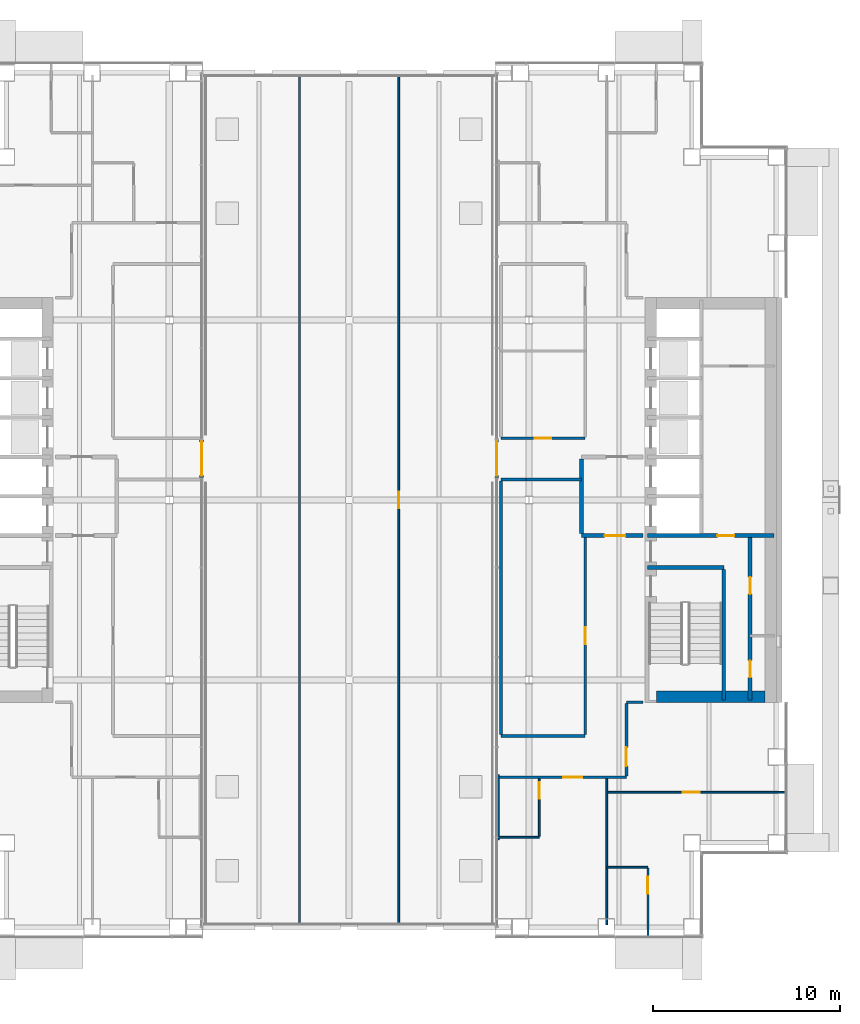
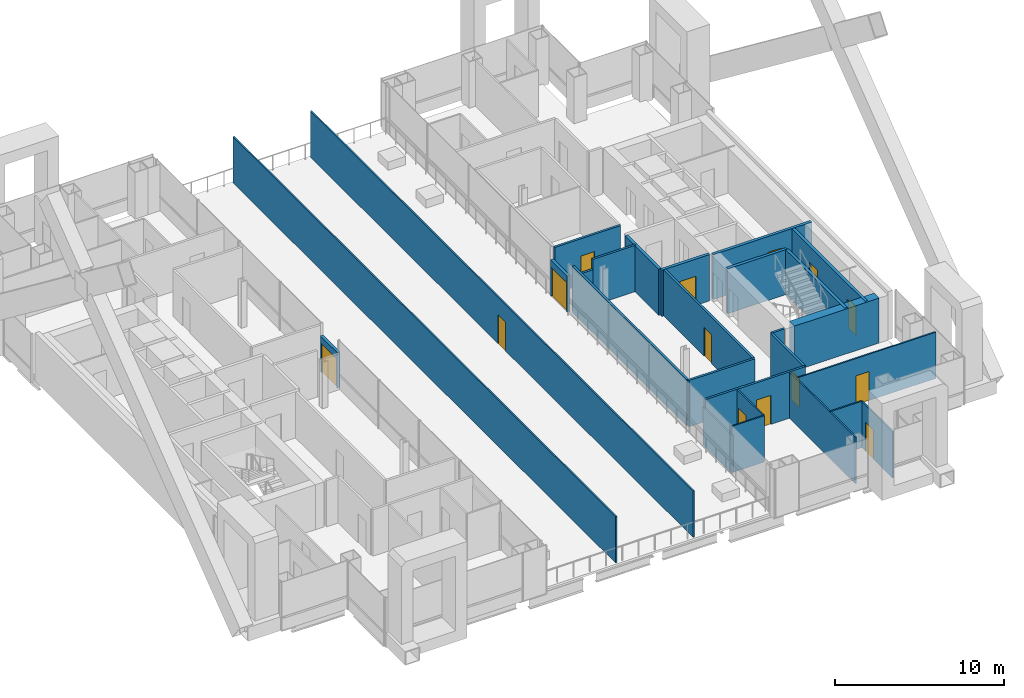
# One storey, part 14 of 20: 27 walls, 14 doors, 14 openings.
"""IFC4 building model written with IfcOpenShell, lengths in metres."""

from ifc_helpers import new_model, si_unit, direction, frame, frame_2d, origin, place, context, subcontext, project, spatial, rectangle, extrude, material, layer, layer_set, type_object, element, fill, save


model = new_model("IFC4")

# Units and contexts
model_context = context("Model", 3, precision=1e-05, world=origin(), true_north=direction((0.0, 1.0)))
body_context = subcontext(model_context, "Body", "Model", "MODEL_VIEW")
ifc_project = project(units=[si_unit("LENGTHUNIT", "METRE"), si_unit("AREAUNIT", "SQUARE_METRE"), si_unit("VOLUMEUNIT", "CUBIC_METRE"), si_unit("PLANEANGLEUNIT", "RADIAN"), si_unit("MASSUNIT", "GRAM", prefix="KILO")], contexts=[model_context])

# Site, building, storey
site_placement = place(None, origin())
site = spatial("IfcSite", under=ifc_project, at=site_placement, CompositionType="ELEMENT")
building_placement = place(site_placement, origin())
building = spatial("IfcBuilding", under=site, at=building_placement, Name="Cobrizo Arcos Hotel Tower", CompositionType="ELEMENT")
storey_placement = place(building_placement, frame((0.0, 0.0, 117.0)))
storey = spatial("IfcBuildingStorey", under=building, at=storey_placement, Name="L29", CompositionType="ELEMENT", Elevation=117.0)

# Wall, opening, door
ifc_material_1 = material(Name="Gypsum board partition")
ifc_layer_1 = layer(ifc_material_1, 0.14990234375)
ifc_layer_set_1 = layer_set([ifc_layer_1], Name="Corridor wall EI 60 150")
wall_type_1 = type_object("IfcWallType", Name="Corridor wall EI 60 150", PredefinedType="PARTITIONING", material=ifc_layer_set_1)
wall_1_placement = place(storey_placement, frame((7.949951171875, -14.800048828125, 0.0), z_axis=(0.0, 0.0, 1.0), x_axis=(1.0, 0.0, 0.0)))
wall_1 = element("IfcWall", 1, at=wall_1_placement, inside=storey, type_object=wall_type_1, Name="Partition 007", PredefinedType="PARTITIONING", context=body_context, shape_type="SweptSolid", body=[
    extrude(rectangle(XDim=6.85009765625, YDim=0.14990234375, at=frame_2d((3.425048828125, 0.0))), origin(), (0.0, 0.0, 1.0), 3.35009765625),
])
opening_1_placement = place(wall_1_placement, frame((3.487060546875, 0.0, 0.0)))
opening_1 = element("IfcOpeningElement", 2, at=opening_1_placement, cuts=wall_1, Name="Opening GD-03", PredefinedType="OPENING", context=body_context, shape_type="SweptSolid", body=[
    extrude(rectangle(XDim=1.0, YDim=2.10009765625, at=frame_2d((0.5, 1.050048828125))), frame((0.0, 0.0869140625, 0.0), z_axis=(0.0, -1.0, 0.0), x_axis=(1.0, 0.0, 0.0)), (0.0, 0.0, 1.0), 0.173828125),
])
ifc_material_2 = material(Name="Timber door leaf", Category="wood")
door_type_1 = type_object("IfcDoorType", Name="Guest room door FD30S 1000x2100", OperationType="SINGLE_SWING_LEFT", PredefinedType="DOOR", material=ifc_material_2)
door_1_placement = place(opening_1_placement, origin())
door_1 = element("IfcDoor", 3, at=door_1_placement, inside=storey, type_object=door_type_1, Name="Door GD-03", OperationType="SINGLE_SWING_LEFT", OverallHeight=2.10009765625, OverallWidth=1.0, PredefinedType="DOOR", context=body_context, shape_type="SweptSolid", body=[
    extrude(rectangle(XDim=1.0, YDim=2.10009765625, at=frame_2d((0.5, 1.050048828125))), frame((0.0, 0.02490234375, 0.0), z_axis=(0.0, -1.0, 0.0), x_axis=(1.0, 0.0, 0.0)), (0.0, 0.0, 1.0), 0.050048828125),
])
fill(opening_1, door_1)

# Walls
wall_2_placement = place(storey_placement, frame((8.10009765625, -12.60009765625, 0.0), z_axis=(0.0, 0.0, 1.0), x_axis=(1.0, 0.0, 0.0)))
element("IfcWall", 4, at=wall_2_placement, inside=storey, type_object=wall_type_1, Name="Partition 009", PredefinedType="PARTITIONING", context=body_context, shape_type="SweptSolid", body=[
    extrude(rectangle(XDim=4.5, YDim=0.14990234375, at=frame_2d((2.25, 0.0))), origin(), (0.0, 0.0, 1.0), 3.35009765625),
])
wall_3_placement = place(storey_placement, frame((14.800048828125, -10.800048828125, 0.0), z_axis=(0.0, 0.0, 1.0), x_axis=(1.0, 0.0, 0.0)))
element("IfcWall", 5, at=wall_3_placement, inside=storey, type_object=wall_type_1, Name="Partition 011", PredefinedType="PARTITIONING", context=body_context, shape_type="SweptSolid", body=[
    extrude(rectangle(XDim=0.8798828125, YDim=0.14990234375, at=frame_2d((0.43994140625, 0.0))), origin(), (0.0, 0.0, 1.0), 3.35009765625),
])
wall_4_placement = place(storey_placement, frame((8.10009765625, 1.10009765625, 0.0), z_axis=(0.0, 0.0, 1.0), x_axis=(1.0, 0.0, 0.0)))
element("IfcWall", 6, at=wall_4_placement, inside=storey, type_object=wall_type_1, Name="Partition 024", PredefinedType="PARTITIONING", context=body_context, shape_type="SweptSolid", body=[
    extrude(rectangle(XDim=1.3359375, YDim=0.14990234375, at=frame_2d((0.66796875, 0.0))), origin(), (0.0, 0.0, 1.0), 2.593017578125),
])
wall_5_placement = place(storey_placement, frame((9.43603515625, 1.10009765625, 0.0), z_axis=(0.0, 0.0, 1.0), x_axis=(1.0, 0.0, 0.0)))
element("IfcWall", 7, at=wall_5_placement, inside=storey, type_object=wall_type_1, Name="Partition 025", PredefinedType="PARTITIONING", context=body_context, shape_type="SweptSolid", body=[
    extrude(rectangle(XDim=2.9638671875, YDim=0.14990234375, at=frame_2d((1.48193359375, 0.0))), origin(), (0.0, 0.0, 1.0), 3.35009765625),
])

# Wall, opening, door
wall_6_placement = place(storey_placement, frame((8.10009765625, 3.300048828125, 0.0), z_axis=(0.0, 0.0, 1.0), x_axis=(1.0, 0.0, 0.0)))
wall_6 = element("IfcWall", 8, at=wall_6_placement, inside=storey, type_object=wall_type_1, Name="Partition 031", PredefinedType="PARTITIONING", context=body_context, shape_type="SweptSolid", body=[
    extrude(rectangle(XDim=4.5, YDim=0.14990234375, at=frame_2d((2.25, 0.0))), origin(), (0.0, 0.0, 1.0), 3.35009765625),
])
opening_2_placement = place(wall_6_placement, frame((1.800048828125, 0.0, 0.0)))
opening_2 = element("IfcOpeningElement", 9, at=opening_2_placement, cuts=wall_6, Name="Opening ED-11", PredefinedType="OPENING", context=body_context, shape_type="SweptSolid", body=[
    extrude(rectangle(XDim=0.89990234375, YDim=2.10009765625, at=frame_2d((0.449951171875, 1.050048828125))), frame((0.0, 0.0869140625, 0.0), z_axis=(0.0, -1.0, 0.0), x_axis=(1.0, 0.0, 0.0)), (0.0, 0.0, 1.0), 0.173828125),
])
door_type_2 = type_object("IfcDoorType", Name="En-suite door 900x2100", OperationType="SINGLE_SWING_LEFT", PredefinedType="DOOR", material=ifc_material_2)
door_2_placement = place(opening_2_placement, origin())
door_2 = element("IfcDoor", 10, at=door_2_placement, inside=storey, type_object=door_type_2, Name="Door ED-11", OperationType="SINGLE_SWING_LEFT", OverallHeight=2.10009765625, OverallWidth=0.89990234375, PredefinedType="DOOR", context=body_context, shape_type="SweptSolid", body=[
    extrude(rectangle(XDim=0.89990234375, YDim=2.10009765625, at=frame_2d((0.449951171875, 1.050048828125))), frame((0.0, 0.02490234375, 0.0), z_axis=(0.0, -1.0, 0.0), x_axis=(1.0, 0.0, 0.0)), (0.0, 0.0, 1.0), 0.050048828125),
])
fill(opening_2, door_2)

# Wall
wall_7_placement = place(storey_placement, frame((8.10009765625, -12.52490234375, 0.0), z_axis=(0.0, 0.0, 1.0), x_axis=(0.0, 1.0, 0.0)))
element("IfcWall", 11, at=wall_7_placement, inside=storey, type_object=wall_type_1, Name="Partition 072", PredefinedType="PARTITIONING", context=body_context, shape_type="SweptSolid", body=[
    extrude(rectangle(XDim=13.5498046875, YDim=0.14990234375, at=frame_2d((6.77490234375, 0.0))), origin(), (0.0, 0.0, 1.0), 3.35009765625),
])

# Wall, opening, door
wall_8_placement = place(storey_placement, frame((12.60009765625, -12.52490234375, 0.0), z_axis=(0.0, 0.0, 1.0), x_axis=(0.0, 1.0, 0.0)))
wall_8 = element("IfcWall", 12, at=wall_8_placement, inside=storey, type_object=wall_type_1, Name="Partition 077", PredefinedType="PARTITIONING", context=body_context, shape_type="SweptSolid", body=[
    extrude(rectangle(XDim=10.52490234375, YDim=0.14990234375, at=frame_2d((5.262451171875, 0.0))), origin(), (0.0, 0.0, 1.0), 3.35009765625),
])
opening_3_placement = place(wall_8_placement, frame((4.824951171875, 0.0, 0.0)))
opening_3 = element("IfcOpeningElement", 13, at=opening_3_placement, cuts=wall_8, Name="Opening RD-11", PredefinedType="OPENING", context=body_context, shape_type="SweptSolid", body=[
    extrude(rectangle(XDim=0.89990234375, YDim=2.10009765625, at=frame_2d((0.449951171875, 1.050048828125))), frame((0.0, 0.0869140625, 0.0), z_axis=(0.0, -1.0, 0.0), x_axis=(1.0, 0.0, 0.0)), (0.0, 0.0, 1.0), 0.173828125),
])
door_type_3 = type_object("IfcDoorType", Name="Room door FD30 900x2100", OperationType="SINGLE_SWING_LEFT", PredefinedType="DOOR", material=ifc_material_2)
door_3_placement = place(opening_3_placement, origin())
door_3 = element("IfcDoor", 14, at=door_3_placement, inside=storey, type_object=door_type_3, Name="Door RD-11", OperationType="SINGLE_SWING_LEFT", OverallHeight=2.10009765625, OverallWidth=0.89990234375, PredefinedType="DOOR", context=body_context, shape_type="SweptSolid", body=[
    extrude(rectangle(XDim=0.89990234375, YDim=2.10009765625, at=frame_2d((0.449951171875, 1.050048828125))), frame((0.0, 0.02490234375, 0.0), z_axis=(0.0, -1.0, 0.0), x_axis=(1.0, 0.0, 0.0)), (0.0, 0.0, 1.0), 0.050048828125),
])
fill(opening_3, door_3)

wall_9_placement = place(storey_placement, frame((14.800048828125, -14.72509765625, 0.0), z_axis=(0.0, 0.0, 1.0), x_axis=(0.0, 1.0, 0.0)))
wall_9 = element("IfcWall", 15, at=wall_9_placement, inside=storey, type_object=wall_type_1, Name="Partition 081", PredefinedType="PARTITIONING", context=body_context, shape_type="SweptSolid", body=[
    extrude(rectangle(XDim=3.85009765625, YDim=0.14990234375, at=frame_2d((1.925048828125, 0.0))), origin(), (0.0, 0.0, 1.0), 3.35009765625),
])
opening_4_placement = place(wall_9_placement, frame((0.52490234375, 0.0, 0.0)))
opening_4 = element("IfcOpeningElement", 16, at=opening_4_placement, cuts=wall_9, Name="Opening GD-07", PredefinedType="OPENING", context=body_context, shape_type="SweptSolid", body=[
    extrude(rectangle(XDim=1.0, YDim=2.10009765625, at=frame_2d((0.5, 1.050048828125))), frame((0.0, 0.0869140625, 0.0), z_axis=(0.0, -1.0, 0.0), x_axis=(1.0, 0.0, 0.0)), (0.0, 0.0, 1.0), 0.173828125),
])
door_4_placement = place(opening_4_placement, origin())
door_4 = element("IfcDoor", 17, at=door_4_placement, inside=storey, type_object=door_type_1, Name="Door GD-07", OperationType="SINGLE_SWING_RIGHT", OverallHeight=2.10009765625, OverallWidth=1.0, PredefinedType="DOOR", context=body_context, shape_type="SweptSolid", body=[
    extrude(rectangle(XDim=1.0, YDim=2.10009765625, at=frame_2d((0.5, 1.050048828125))), frame((0.0, 0.02490234375, 0.0), z_axis=(0.0, -1.0, 0.0), x_axis=(1.0, 0.0, 0.0)), (0.0, 0.0, 1.0), 0.050048828125),
])
fill(opening_4, door_4)

ifc_material_3 = material(Name="Aluminium 6063-T6 anodised pale", Category="aluminium")
ifc_layer_2 = layer(ifc_material_3, 0.199951171875)
ifc_layer_set_2 = layer_set([ifc_layer_2], Name="EW-4 sky bridge door frame wall")
wall_type_2 = type_object("IfcWallType", Name="EW-4 sky bridge door frame wall", PredefinedType="SOLIDWALL", material=ifc_layer_set_2)
wall_10_placement = place(storey_placement, frame((7.875, 1.199951171875, 0.0), z_axis=(0.0, 0.0, 1.0), x_axis=(0.0, 1.0, 0.0)))
wall_10 = element("IfcWall", 18, at=wall_10_placement, inside=storey, type_object=wall_type_2, Name="Garden deck door wall B E", PredefinedType="SOLIDWALL", context=body_context, shape_type="SweptSolid", body=[
    extrude(rectangle(XDim=2.0, YDim=0.199951171875, at=frame_2d((1.0, 0.0))), origin(), (0.0, 0.0, 1.0), 2.593017578125),
])
opening_5_placement = place(wall_10_placement, frame((0.10009765625, 0.0, 0.0)))
opening_5 = element("IfcOpeningElement", 19, at=opening_5_placement, cuts=wall_10, Name="Opening E-44", PredefinedType="OPENING", context=body_context, shape_type="SweptSolid", body=[
    extrude(rectangle(XDim=1.800048828125, YDim=2.10009765625, at=frame_2d((0.89990234375, 1.050048828125))), frame((0.0, 0.112060546875, 0.0), z_axis=(0.0, -1.0, 0.0), x_axis=(1.0, 0.0, 0.0)), (0.0, 0.0, 1.0), 0.223876953125),
])
ifc_material_4 = material(Name="Aluminium 6063-T6 and clear laminated glass", Category="aluminium")
door_type_4 = type_object("IfcDoorType", Name="D-B1 sky bridge double door 1800x2100", OperationType="DOUBLE_DOOR_DOUBLE_SWING", PredefinedType="DOOR", material=ifc_material_4)
door_5_placement = place(opening_5_placement, origin())
door_5 = element("IfcDoor", 20, at=door_5_placement, inside=storey, type_object=door_type_4, Name="Garden deck door wall B E door E-44", OperationType="DOUBLE_DOOR_DOUBLE_SWING", OverallHeight=2.10009765625, OverallWidth=1.800048828125, PredefinedType="DOOR", context=body_context, shape_type="SweptSolid", body=[
    extrude(rectangle(XDim=1.800048828125, YDim=2.10009765625, at=frame_2d((0.89990234375, 1.050048828125))), frame((0.0, 0.02490234375, 0.0), z_axis=(0.0, -1.0, 0.0), x_axis=(1.0, 0.0, 0.0)), (0.0, 0.0, 1.0), 0.050048828125),
])
fill(opening_5, door_5)

wall_11_placement = place(storey_placement, frame((-7.875, 1.199951171875, 0.0), z_axis=(0.0, 0.0, 1.0), x_axis=(0.0, 1.0, 0.0)))
wall_11 = element("IfcWall", 21, at=wall_11_placement, inside=storey, type_object=wall_type_2, Name="Garden deck door wall B W", PredefinedType="SOLIDWALL", context=body_context, shape_type="SweptSolid", body=[
    extrude(rectangle(XDim=2.0, YDim=0.199951171875, at=frame_2d((1.0, 0.0))), origin(), (0.0, 0.0, 1.0), 2.593017578125),
])
opening_6_placement = place(wall_11_placement, frame((0.10009765625, 0.0, 0.0)))
opening_6 = element("IfcOpeningElement", 22, at=opening_6_placement, cuts=wall_11, Name="Opening E-45", PredefinedType="OPENING", context=body_context, shape_type="SweptSolid", body=[
    extrude(rectangle(XDim=1.800048828125, YDim=2.10009765625, at=frame_2d((0.89990234375, 1.050048828125))), frame((0.0, 0.112060546875, 0.0), z_axis=(0.0, -1.0, 0.0), x_axis=(1.0, 0.0, 0.0)), (0.0, 0.0, 1.0), 0.223876953125),
])
door_6_placement = place(opening_6_placement, origin())
door_6 = element("IfcDoor", 23, at=door_6_placement, inside=storey, type_object=door_type_4, Name="Garden deck door wall B W door E-45", OperationType="DOUBLE_DOOR_DOUBLE_SWING", OverallHeight=2.10009765625, OverallWidth=1.800048828125, PredefinedType="DOOR", context=body_context, shape_type="SweptSolid", body=[
    extrude(rectangle(XDim=1.800048828125, YDim=2.10009765625, at=frame_2d((0.89990234375, 1.050048828125))), frame((0.0, 0.02490234375, 0.0), z_axis=(0.0, -1.0, 0.0), x_axis=(1.0, 0.0, 0.0)), (0.0, 0.0, 1.0), 0.050048828125),
])
fill(opening_6, door_6)

# Walls
ifc_layer_3 = layer(ifc_material_1, 0.10009765625)
ifc_layer_set_3 = layer_set([ifc_layer_3], Name="Partition EI 30 100")
wall_type_3 = type_object("IfcWallType", Name="Partition EI 30 100", PredefinedType="PARTITIONING", material=ifc_layer_set_3)
for number, where, z_axis, x_axis, name in (
    (24, (13.75, -19.60009765625, 0.0), (0.0, 0.0, 1.0), (1.0, 0.0, 0.0), "Partition 001"),
    (25, (7.949951171875, -18.0, 0.0), (0.0, 0.0, 1.0), (1.0, 0.0, 0.0), "Partition 003"),
):
    element("IfcWall", number, at=place(storey_placement, frame(where, z_axis=z_axis, x_axis=x_axis)), inside=storey, type_object=wall_type_3, Name=name, PredefinedType="PARTITIONING", context=body_context, shape_type="SweptSolid", body=[
        extrude(rectangle(XDim=2.199951171875, YDim=0.10009765625, at=frame_2d((1.10009765625, 0.0))), origin(), (0.0, 0.0, 1.0), 3.35009765625),
    ])

# Wall, opening, door
wall_12_placement = place(storey_placement, frame((13.75, -15.60009765625, 0.0), z_axis=(0.0, 0.0, 1.0), x_axis=(1.0, 0.0, 0.0)))
wall_12 = element("IfcWall", 26, at=wall_12_placement, inside=storey, type_object=wall_type_3, Name="Partition 004", PredefinedType="PARTITIONING", context=body_context, shape_type="SweptSolid", body=[
    extrude(rectangle(XDim=9.530029296875, YDim=0.10009765625, at=frame_2d((4.76513671875, 0.0))), origin(), (0.0, 0.0, 1.0), 3.35009765625),
])
opening_7_placement = place(wall_12_placement, frame((4.06201171875, 0.0, 0.0)))
opening_7 = element("IfcOpeningElement", 27, at=opening_7_placement, cuts=wall_12, Name="Opening RD-09", PredefinedType="OPENING", context=body_context, shape_type="SweptSolid", body=[
    extrude(rectangle(XDim=0.89990234375, YDim=2.10009765625, at=frame_2d((0.449951171875, 1.050048828125))), frame((0.0, 0.06201171875, 0.0), z_axis=(0.0, -1.0, 0.0), x_axis=(1.0, 0.0, 0.0)), (0.0, 0.0, 1.0), 0.1240234375),
])
door_7_placement = place(opening_7_placement, origin())
door_7 = element("IfcDoor", 28, at=door_7_placement, inside=storey, type_object=door_type_3, Name="Door RD-09", OperationType="SINGLE_SWING_RIGHT", OverallHeight=2.10009765625, OverallWidth=0.89990234375, PredefinedType="DOOR", context=body_context, shape_type="SweptSolid", body=[
    extrude(rectangle(XDim=0.89990234375, YDim=2.10009765625, at=frame_2d((0.449951171875, 1.050048828125))), frame((0.0, 0.02490234375, 0.0), z_axis=(0.0, -1.0, 0.0), x_axis=(1.0, 0.0, 0.0)), (0.0, 0.0, 1.0), 0.050048828125),
])
fill(opening_7, door_7)

# Wall
wall_13_placement = place(storey_placement, frame((-2.64990234375, -22.679931640625, 0.0), z_axis=(0.0, 0.0, 1.0), x_axis=(0.0, 1.0, 0.0)))
element("IfcWall", 29, at=wall_13_placement, inside=storey, type_object=wall_type_3, Name="Partition 068", PredefinedType="PARTITIONING", context=body_context, shape_type="SweptSolid", body=[
    extrude(rectangle(XDim=45.35986328125, YDim=0.10009765625, at=frame_2d((22.679931640625, 0.0))), origin(), (0.0, 0.0, 1.0), 3.35009765625),
])

# Wall, opening, door
wall_14_placement = place(storey_placement, frame((2.64990234375, -22.679931640625, 0.0), z_axis=(0.0, 0.0, 1.0), x_axis=(0.0, 1.0, 0.0)))
wall_14 = element("IfcWall", 30, at=wall_14_placement, inside=storey, type_object=wall_type_3, Name="Partition 069", PredefinedType="PARTITIONING", context=body_context, shape_type="SweptSolid", body=[
    extrude(rectangle(XDim=45.35986328125, YDim=0.10009765625, at=frame_2d((22.679931640625, 0.0))), origin(), (0.0, 0.0, 1.0), 3.35009765625),
])
opening_8_placement = place(wall_14_placement, frame((22.22998046875, 0.0, 0.0)))
opening_8 = element("IfcOpeningElement", 31, at=opening_8_placement, cuts=wall_14, Name="Opening RD-13", PredefinedType="OPENING", context=body_context, shape_type="SweptSolid", body=[
    extrude(rectangle(XDim=0.89990234375, YDim=2.10009765625, at=frame_2d((0.449951171875, 1.050048828125))), frame((0.0, 0.06201171875, 0.0), z_axis=(0.0, -1.0, 0.0), x_axis=(1.0, 0.0, 0.0)), (0.0, 0.0, 1.0), 0.1240234375),
])
door_8_placement = place(opening_8_placement, origin())
door_8 = element("IfcDoor", 32, at=door_8_placement, inside=storey, type_object=door_type_3, Name="Door RD-13", OperationType="SINGLE_SWING_RIGHT", OverallHeight=2.10009765625, OverallWidth=0.89990234375, PredefinedType="DOOR", context=body_context, shape_type="SweptSolid", body=[
    extrude(rectangle(XDim=0.89990234375, YDim=2.10009765625, at=frame_2d((0.449951171875, 1.050048828125))), frame((0.0, 0.02490234375, 0.0), z_axis=(0.0, -1.0, 0.0), x_axis=(1.0, 0.0, 0.0)), (0.0, 0.0, 1.0), 0.050048828125),
])
fill(opening_8, door_8)

# Wall
wall_15_placement = place(storey_placement, frame((7.949951171875, -18.139892578125, 0.0), z_axis=(0.0, 0.0, 1.0), x_axis=(0.0, 1.0, 0.0)))
element("IfcWall", 33, at=wall_15_placement, inside=storey, type_object=wall_type_3, Name="Partition 070", PredefinedType="PARTITIONING", context=body_context, shape_type="SweptSolid", body=[
    extrude(rectangle(XDim=3.47998046875, YDim=0.10009765625, at=frame_2d((1.739990234375, 0.0))), origin(), (0.0, 0.0, 1.0), 2.73291015625),
])

# Wall, opening, door
wall_16_placement = place(storey_placement, frame((10.14990234375, -17.949951171875, 0.0), z_axis=(0.0, 0.0, 1.0), x_axis=(0.0, 1.0, 0.0)))
wall_16 = element("IfcWall", 34, at=wall_16_placement, inside=storey, type_object=wall_type_3, Name="Partition 074", PredefinedType="PARTITIONING", context=body_context, shape_type="SweptSolid", body=[
    extrude(rectangle(XDim=3.074951171875, YDim=0.10009765625, at=frame_2d((1.53759765625, 0.0))), origin(), (0.0, 0.0, 1.0), 3.35009765625),
])
opening_9_placement = place(wall_16_placement, frame((1.99609375, 0.0, 0.0)))
opening_9 = element("IfcOpeningElement", 35, at=opening_9_placement, cuts=wall_16, Name="Opening ED-05", PredefinedType="OPENING", context=body_context, shape_type="SweptSolid", body=[
    extrude(rectangle(XDim=0.89990234375, YDim=2.10009765625, at=frame_2d((0.449951171875, 1.050048828125))), frame((0.0, 0.06201171875, 0.0), z_axis=(0.0, -1.0, 0.0), x_axis=(1.0, 0.0, 0.0)), (0.0, 0.0, 1.0), 0.1240234375),
])
door_9_placement = place(opening_9_placement, origin())
door_9 = element("IfcDoor", 36, at=door_9_placement, inside=storey, type_object=door_type_2, Name="Door ED-05", OperationType="SINGLE_SWING_RIGHT", OverallHeight=2.10009765625, OverallWidth=0.89990234375, PredefinedType="DOOR", context=body_context, shape_type="SweptSolid", body=[
    extrude(rectangle(XDim=0.89990234375, YDim=2.10009765625, at=frame_2d((0.449951171875, 1.050048828125))), frame((0.0, 0.02490234375, 0.0), z_axis=(0.0, -1.0, 0.0), x_axis=(1.0, 0.0, 0.0)), (0.0, 0.0, 1.0), 0.050048828125),
])
fill(opening_9, door_9)

# Wall
wall_17_placement = place(storey_placement, frame((13.75, -22.679931640625, 0.0), z_axis=(0.0, 0.0, 1.0), x_axis=(0.0, 1.0, 0.0)))
element("IfcWall", 37, at=wall_17_placement, inside=storey, type_object=wall_type_3, Name="Partition 079", PredefinedType="PARTITIONING", context=body_context, shape_type="SweptSolid", body=[
    extrude(rectangle(XDim=7.804931640625, YDim=0.10009765625, at=frame_2d((3.90234375, 0.0))), origin(), (0.0, 0.0, 1.0), 3.35009765625),
])

# Wall, opening, door
wall_18_placement = place(storey_placement, frame((15.949951171875, -23.280029296875, 0.0), z_axis=(0.0, 0.0, 1.0), x_axis=(0.0, 1.0, 0.0)))
wall_18 = element("IfcWall", 38, at=wall_18_placement, inside=storey, type_object=wall_type_3, Name="Partition 083", PredefinedType="PARTITIONING", context=body_context, shape_type="SweptSolid", body=[
    extrude(rectangle(XDim=3.630126953125, YDim=0.10009765625, at=frame_2d((1.81494140625, 0.0))), origin(), (0.0, 0.0, 1.0), 3.35009765625),
])
opening_10_placement = place(wall_18_placement, frame((2.27001953125, 0.0, 0.0)))
opening_10 = element("IfcOpeningElement", 39, at=opening_10_placement, cuts=wall_18, Name="Opening ED-09", PredefinedType="OPENING", context=body_context, shape_type="SweptSolid", body=[
    extrude(rectangle(XDim=0.89990234375, YDim=2.10009765625, at=frame_2d((0.449951171875, 1.050048828125))), frame((0.0, 0.06201171875, 0.0), z_axis=(0.0, -1.0, 0.0), x_axis=(1.0, 0.0, 0.0)), (0.0, 0.0, 1.0), 0.1240234375),
])
door_10_placement = place(opening_10_placement, origin())
door_10 = element("IfcDoor", 40, at=door_10_placement, inside=storey, type_object=door_type_2, Name="Door ED-09", OperationType="SINGLE_SWING_LEFT", OverallHeight=2.10009765625, OverallWidth=0.89990234375, PredefinedType="DOOR", context=body_context, shape_type="SweptSolid", body=[
    extrude(rectangle(XDim=0.89990234375, YDim=2.10009765625, at=frame_2d((0.449951171875, 1.050048828125))), frame((0.0, 0.02490234375, 0.0), z_axis=(0.0, -1.0, 0.0), x_axis=(1.0, 0.0, 0.0)), (0.0, 0.0, 1.0), 0.050048828125),
])
fill(opening_10, door_10)

# Wall
ifc_material_5 = material(Name="Concrete f'c 50 MPa", Category="concrete")
ifc_layer_4 = layer(ifc_material_5, 0.60009765625)
ifc_layer_set_4 = layer_set([ifc_layer_4], Name="RC core wall 600 f'c 50")
wall_type_4 = type_object("IfcWallType", Name="RC core wall 600 f'c 50", PredefinedType="SHEAR", material=ifc_layer_set_4)
wall_19_placement = place(storey_placement, frame((16.39990234375, -10.5, 0.0), z_axis=(0.0, 0.0, 1.0), x_axis=(1.0, 0.0, 0.0)))
element("IfcWall", 41, at=wall_19_placement, inside=storey, type_object=wall_type_4, Name="Core wall CW2, east core, south end, L29", PredefinedType="SHEAR", context=body_context, shape_type="SweptSolid", body=[
    extrude(rectangle(XDim=5.800048828125, YDim=0.60009765625, at=frame_2d((2.89990234375, 0.0))), origin(), (0.0, 0.0, 1.0), 3.25),
])

# Wall, opening, door
ifc_layer_5 = layer(ifc_material_1, 0.199951171875)
ifc_layer_set_5 = layer_set([ifc_layer_5], Name="Shaft wall EI 120 200")
wall_type_5 = type_object("IfcWallType", Name="Shaft wall EI 120 200", PredefinedType="PARTITIONING", material=ifc_layer_set_5)
wall_20_placement = place(storey_placement, frame((12.39990234375, -1.89990234375, 0.0), z_axis=(0.0, 0.0, 1.0), x_axis=(1.0, 0.0, 0.0)))
wall_20 = element("IfcWall", 42, at=wall_20_placement, inside=storey, type_object=wall_type_5, Name="Partition 018", PredefinedType="PARTITIONING", context=body_context, shape_type="SweptSolid", body=[
    extrude(rectangle(XDim=3.280029296875, YDim=0.199951171875, at=frame_2d((1.64013671875, 0.0))), origin(), (0.0, 0.0, 1.0), 3.35009765625),
])
opening_11_placement = place(wall_20_placement, frame((1.239990234375, 0.0, 0.0)))
opening_11 = element("IfcOpeningElement", 43, at=opening_11_placement, cuts=wall_20, Name="Opening FD-05", PredefinedType="OPENING", context=body_context, shape_type="SweptSolid", body=[
    extrude(rectangle(XDim=1.10009765625, YDim=2.10009765625, at=frame_2d((0.550048828125, 1.050048828125))), frame((0.0, 0.112060546875, 0.0), z_axis=(0.0, -1.0, 0.0), x_axis=(1.0, 0.0, 0.0)), (0.0, 0.0, 1.0), 0.223876953125),
])
ifc_material_6 = material(Name="Steel door leaf", Category="steel")
door_type_5 = type_object("IfcDoorType", Name="Fire door FD60 1100x2100", OperationType="SINGLE_SWING_LEFT", PredefinedType="DOOR", material=ifc_material_6)
door_11_placement = place(opening_11_placement, origin())
door_11 = element("IfcDoor", 44, at=door_11_placement, inside=storey, type_object=door_type_5, Name="Door FD-05", OperationType="SINGLE_SWING_LEFT", OverallHeight=2.10009765625, OverallWidth=1.10009765625, PredefinedType="DOOR", context=body_context, shape_type="SweptSolid", body=[
    extrude(rectangle(XDim=1.10009765625, YDim=2.10009765625, at=frame_2d((0.550048828125, 1.050048828125))), frame((0.0, 0.02490234375, 0.0), z_axis=(0.0, -1.0, 0.0), x_axis=(1.0, 0.0, 0.0)), (0.0, 0.0, 1.0), 0.050048828125),
])
fill(opening_11, door_11)

wall_21_placement = place(storey_placement, frame((15.919921875, -1.89990234375, 0.0), z_axis=(0.0, 0.0, 1.0), x_axis=(1.0, 0.0, 0.0)))
wall_21 = element("IfcWall", 45, at=wall_21_placement, inside=storey, type_object=wall_type_5, Name="Partition 019", PredefinedType="PARTITIONING", context=body_context, shape_type="SweptSolid", body=[
    extrude(rectangle(XDim=6.760009765625, YDim=0.199951171875, at=frame_2d((3.3798828125, 0.0))), origin(), (0.0, 0.0, 1.0), 3.25),
])
opening_12_placement = place(wall_21_placement, frame((3.739990234375, 0.0, 0.0)))
opening_12 = element("IfcOpeningElement", 46, at=opening_12_placement, cuts=wall_21, Name="Opening RD-05", PredefinedType="OPENING", context=body_context, shape_type="SweptSolid", body=[
    extrude(rectangle(XDim=0.89990234375, YDim=2.10009765625, at=frame_2d((0.449951171875, 1.050048828125))), frame((0.0, 0.112060546875, 0.0), z_axis=(0.0, -1.0, 0.0), x_axis=(1.0, 0.0, 0.0)), (0.0, 0.0, 1.0), 0.223876953125),
])
door_12_placement = place(opening_12_placement, origin())
door_12 = element("IfcDoor", 47, at=door_12_placement, inside=storey, type_object=door_type_3, Name="Door RD-05", OperationType="SINGLE_SWING_LEFT", OverallHeight=2.10009765625, OverallWidth=0.89990234375, PredefinedType="DOOR", context=body_context, shape_type="SweptSolid", body=[
    extrude(rectangle(XDim=0.89990234375, YDim=2.10009765625, at=frame_2d((0.449951171875, 1.050048828125))), frame((0.0, 0.02490234375, 0.0), z_axis=(0.0, -1.0, 0.0), x_axis=(1.0, 0.0, 0.0)), (0.0, 0.0, 1.0), 0.050048828125),
])
fill(opening_12, door_12)

# Wall
wall_22_placement = place(storey_placement, frame((12.39990234375, -1.800048828125, 0.0), z_axis=(0.0, 0.0, 1.0), x_axis=(0.0, 1.0, 0.0)))
element("IfcWall", 48, at=wall_22_placement, inside=storey, type_object=wall_type_5, Name="Partition 076", PredefinedType="PARTITIONING", context=body_context, shape_type="SweptSolid", body=[
    extrude(rectangle(XDim=4.0, YDim=0.199951171875, at=frame_2d((2.0, 0.0))), origin(), (0.0, 0.0, 1.0), 3.35009765625),
])

# Wall, openings, doors
wall_23_placement = place(storey_placement, frame((21.39990234375, -10.679931640625, 0.0), z_axis=(0.0, 0.0, 1.0), x_axis=(0.0, 1.0, 0.0)))
wall_23 = element("IfcWall", 49, at=wall_23_placement, inside=storey, type_object=wall_type_5, Name="Partition 087", PredefinedType="PARTITIONING", context=body_context, shape_type="SweptSolid", body=[
    extrude(rectangle(XDim=8.679931640625, YDim=0.199951171875, at=frame_2d((4.33984375, 0.0))), origin(), (0.0, 0.0, 1.0), 3.25),
])
opening_13_placement = place(wall_23_placement, frame((1.2099609375, 0.0, 0.0)))
opening_13 = element("IfcOpeningElement", 50, at=opening_13_placement, cuts=wall_23, Name="Opening ED-02", PredefinedType="OPENING", context=body_context, shape_type="SweptSolid", body=[
    extrude(rectangle(XDim=0.89990234375, YDim=2.10009765625, at=frame_2d((0.449951171875, 1.050048828125))), frame((0.0, 0.112060546875, 0.0), z_axis=(0.0, -1.0, 0.0), x_axis=(1.0, 0.0, 0.0)), (0.0, 0.0, 1.0), 0.223876953125),
])
opening_14_placement = place(wall_23_placement, frame((5.659912109375, 0.0, 0.0)))
opening_14 = element("IfcOpeningElement", 51, at=opening_14_placement, cuts=wall_23, Name="Opening RD-04", PredefinedType="OPENING", context=body_context, shape_type="SweptSolid", body=[
    extrude(rectangle(XDim=0.89990234375, YDim=2.10009765625, at=frame_2d((0.449951171875, 1.050048828125))), frame((0.0, 0.112060546875, 0.0), z_axis=(0.0, -1.0, 0.0), x_axis=(1.0, 0.0, 0.0)), (0.0, 0.0, 1.0), 0.223876953125),
])
door_13_placement = place(opening_13_placement, origin())
door_13 = element("IfcDoor", 52, at=door_13_placement, inside=storey, type_object=door_type_2, Name="Door ED-02", OperationType="SINGLE_SWING_RIGHT", OverallHeight=2.10009765625, OverallWidth=0.89990234375, PredefinedType="DOOR", context=body_context, shape_type="SweptSolid", body=[
    extrude(rectangle(XDim=0.89990234375, YDim=2.10009765625, at=frame_2d((0.449951171875, 1.050048828125))), frame((0.0, 0.02490234375, 0.0), z_axis=(0.0, -1.0, 0.0), x_axis=(1.0, 0.0, 0.0)), (0.0, 0.0, 1.0), 0.050048828125),
])
fill(opening_13, door_13)
door_14_placement = place(opening_14_placement, origin())
door_14 = element("IfcDoor", 53, at=door_14_placement, inside=storey, type_object=door_type_3, Name="Door RD-04", OperationType="SINGLE_SWING_LEFT", OverallHeight=2.10009765625, OverallWidth=0.89990234375, PredefinedType="DOOR", context=body_context, shape_type="SweptSolid", body=[
    extrude(rectangle(XDim=0.89990234375, YDim=2.10009765625, at=frame_2d((0.449951171875, 1.050048828125))), frame((0.0, 0.02490234375, 0.0), z_axis=(0.0, -1.0, 0.0), x_axis=(1.0, 0.0, 0.0)), (0.0, 0.0, 1.0), 0.050048828125),
])
fill(opening_14, door_14)

# Walls
ifc_material_7 = material(Name="Concrete f'c 40 MPa", Category="concrete")
ifc_layer_6 = layer(ifc_material_7, 0.199951171875)
ifc_layer_set_6 = layer_set([ifc_layer_6], Name="Stair shaft wall 200")
wall_type_6 = type_object("IfcWallType", Name="Stair shaft wall 200", PredefinedType="SHEAR", material=ifc_layer_set_6)
wall_24_placement = place(storey_placement, frame((15.919921875, -3.60009765625, 0.0), z_axis=(0.0, 0.0, 1.0), x_axis=(1.0, 0.0, 0.0)))
element("IfcWall", 54, at=wall_24_placement, inside=storey, type_object=wall_type_6, Name="Stair shaft wall E", PredefinedType="SHEAR", context=body_context, shape_type="SweptSolid", body=[
    extrude(rectangle(XDim=4.080078125, YDim=0.199951171875, at=frame_2d((2.0400390625, 0.0))), origin(), (0.0, 0.0, 1.0), 3.25),
])
wall_25_placement = place(storey_placement, frame((20.0, -10.679931640625, 0.0), z_axis=(0.0, 0.0, 1.0), x_axis=(0.0, 1.0, 0.0)))
element("IfcWall", 55, at=wall_25_placement, inside=storey, type_object=wall_type_6, Name="Stair shaft wall E", PredefinedType="SHEAR", context=body_context, shape_type="SweptSolid", body=[
    extrude(rectangle(XDim=6.97998046875, YDim=0.199951171875, at=frame_2d((3.489990234375, 0.0))), origin(), (0.0, 0.0, 1.0), 3.25),
])

save(model, "model.ifc")
